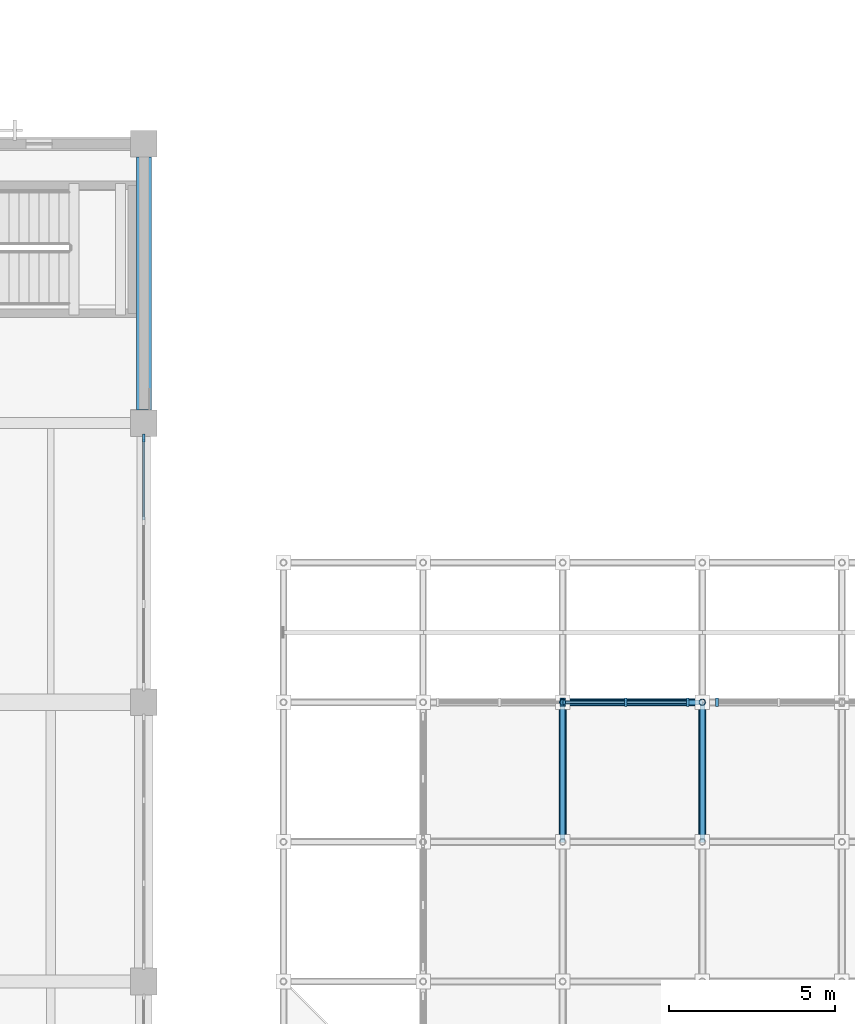
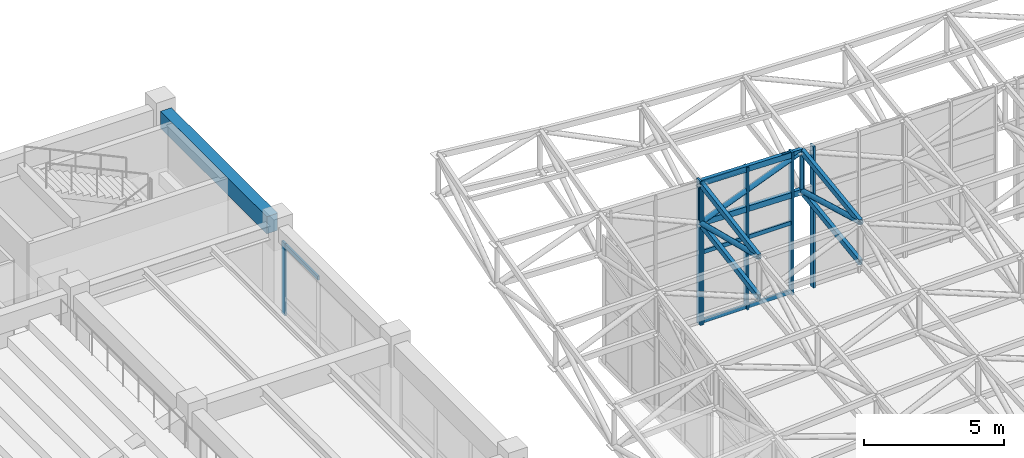
# One storey, part 31 of 132: 24 members, 1 beam, 4 elements without a shape of their own.
"""IFC4 building model written with IfcOpenShell, lengths in metres."""

from ifc_helpers import new_model, si_unit, direction, frame, origin, origin_2d, place, context, subcontext, project, spatial, rectangle, hollow_rectangle, hollow_circle, extrude, material, material_profile, profile_set, type_object, element, aggregate, save


model = new_model("IFC4")

# Units and contexts
model_context = context("Model", 3, precision=1e-05, world=origin(), true_north=direction((0.0, 1.0)))
body_context = subcontext(model_context, "Body", "Model", "MODEL_VIEW")
ifc_project = project(units=[si_unit("LENGTHUNIT", "METRE"), si_unit("AREAUNIT", "SQUARE_METRE"), si_unit("VOLUMEUNIT", "CUBIC_METRE"), si_unit("PLANEANGLEUNIT", "RADIAN"), si_unit("MASSUNIT", "GRAM", prefix="KILO")], contexts=[model_context])

# Site, building, storey
site_placement = place(None, origin())
site = spatial("IfcSite", under=ifc_project, at=site_placement, CompositionType="ELEMENT")
building_placement = place(site_placement, origin())
building = spatial("IfcBuilding", under=site, at=building_placement, Name="Cumbredor Promenade Congress Hotel", CompositionType="ELEMENT")
storey_placement = place(building_placement, frame((0.0, 0.0, 7.56005859375)))
storey = spatial("IfcBuildingStorey", under=building, at=storey_placement, Name="L02", CompositionType="ELEMENT", Elevation=7.56005859375)

# Beam
ifc_material_1 = material(Name="Concrete C40/50", Category="concrete")
ifc_material_profile_1 = material_profile(ifc_material_1, rectangle(XDim=0.449951171875, YDim=0.75, at=origin_2d()), Name="RC BEAM 450x750")
ifc_profile_set_1 = profile_set([ifc_material_profile_1], Name="Concrete C40/50")
beam_type = type_object("IfcBeamType", Name="BM-RC-450x750", PredefinedType="BEAM", material=ifc_profile_set_1)
beam_placement = place(storey_placement, frame((67.199951171875, 59.199951171875, 3.425048828125), z_axis=(0.0, 1.0, 0.0), x_axis=(-1.0, 0.0, 0.0)))
element("IfcBeam", 1, at=beam_placement, inside=storey, type_object=beam_type, Name="L03 Y-Grid Beam 121", PredefinedType="BEAM", context=body_context, shape_type="SweptSolid", body=[
    extrude(rectangle(XDim=0.449951171875, YDim=0.75, at=origin_2d()), origin(), (0.0, 0.0, 1.0), 7.60009765625),
])

# Curtain wall, member
ifc_material_2 = material(Name="Thermally broken anodized aluminium and low-E glass", Category="aluminium")
curtain_wall_type_1 = type_object("IfcCurtainWallType", Name="Unitised Bronze Curtain Wall CW-01", PredefinedType="NOTDEFINED", material=ifc_material_2)
curtain_wall_1_placement = place(storey_placement, origin())
curtain_wall_1 = element("IfcCurtainWall", 2, at=curtain_wall_1_placement, inside=storey, type_object=curtain_wall_type_1, Name="L02 Plenary Congress Hall East Curtain Wall 6", PredefinedType="NOTDEFINED")
ifc_material_3 = material(Name="Thermally broken anodized aluminium", Category="aluminium")
ifc_material_profile_2 = material_profile(ifc_material_3, rectangle(XDim=0.080078125, YDim=0.239990234375, at=origin_2d()), Name="ALU MULLION 80x240")
ifc_profile_set_2 = profile_set([ifc_material_profile_2], Name="Thermally broken anodized aluminium")
member_type_1 = type_object("IfcMemberType", Name="Curtain Wall Mullion ML-03", PredefinedType="MULLION", material=ifc_profile_set_2)
member_1_placement = place(storey_placement, frame((67.199951171875, 58.344970703125, -0.008056640625), z_axis=(0.0, 0.0, 1.0), x_axis=(1.0, 0.0, 0.0)))
member_1 = element("IfcMember", 3, at=member_1_placement, type_object=member_type_1, Name="L02 Plenary Congress Hall East Curtain Wall 6 Mullion 4", PredefinedType="MULLION", context=body_context, shape_type="SweptSolid", body=[
    extrude(rectangle(XDim=0.080078125, YDim=0.239990234375, at=origin_2d()), origin(), (0.0, 0.0, 1.0), 3.15087890625),
])

curtain_wall_type_2 = type_object("IfcCurtainWallType", Name="Stepped Pavilion Clerestory Curtain Wall CW-06", PredefinedType="NOTDEFINED", material=ifc_material_2)
curtain_wall_2_placement = place(storey_placement, origin())
curtain_wall_2 = element("IfcCurtainWall", 4, at=curtain_wall_2_placement, inside=storey, type_object=curtain_wall_type_2, Name="Thermal Spa and Hydrotherapy Pavilion N Glazed Clerestory 1", PredefinedType="NOTDEFINED")
ifc_material_profile_3 = material_profile(ifc_material_3, rectangle(XDim=0.0849609375, YDim=0.260009765625, at=origin_2d()), Name="ALU MULLION CLERESTORY 85x260")
ifc_profile_set_3 = profile_set([ifc_material_profile_3], Name="Thermally broken anodized aluminium")
member_type_2 = type_object("IfcMemberType", Name="Curtain Wall Mullion ML-04", PredefinedType="MULLION", material=ifc_profile_set_3)
member_2_placement = place(storey_placement, frame((79.760009765625, 50.39990234375, -0.01806640625), z_axis=(0.0, 0.0, 1.0), x_axis=(1.0, 0.0, 0.0)))
member_2 = element("IfcMember", 5, at=member_2_placement, type_object=member_type_2, Name="Thermal Spa and Hydrotherapy Pavilion N Glazed Clerestory 1 Mullion 3", PredefinedType="MULLION", context=body_context, shape_type="SweptSolid", body=[
    extrude(rectangle(XDim=0.0849609375, YDim=0.260009765625, at=origin_2d()), origin(), (0.0, 0.0, 1.0), 6.31103515625),
])
aggregate(curtain_wall_2, [member_2])

# Curtain wall, members
curtain_wall_3_placement = place(storey_placement, origin())
curtain_wall_3 = element("IfcCurtainWall", 6, at=curtain_wall_3_placement, inside=storey, type_object=curtain_wall_type_2, Name="Thermal Spa and Hydrotherapy Pavilion N Glazed Clerestory 2", PredefinedType="NOTDEFINED")
member_3_placement = place(storey_placement, frame((79.840087890625, 50.39990234375, -0.01806640625), z_axis=(0.0, 0.0, 1.0), x_axis=(1.0, 0.0, 0.0)))
member_3 = element("IfcMember", 7, at=member_3_placement, type_object=member_type_2, Name="Thermal Spa and Hydrotherapy Pavilion N Glazed Clerestory 2 Mullion 1", PredefinedType="MULLION", context=body_context, shape_type="SweptSolid", body=[
    extrude(rectangle(XDim=0.0849609375, YDim=0.260009765625, at=origin_2d()), origin(), (0.0, 0.0, 1.0), 6.227294921875),
])
member_4_placement = place(storey_placement, frame((81.699951171875, 50.39990234375, -0.01806640625), z_axis=(0.0, 0.0, 1.0), x_axis=(1.0, 0.0, 0.0)))
member_4 = element("IfcMember", 8, at=member_4_placement, type_object=member_type_2, Name="Thermal Spa and Hydrotherapy Pavilion N Glazed Clerestory 2 Mullion 2", PredefinedType="MULLION", context=body_context, shape_type="SweptSolid", body=[
    extrude(rectangle(XDim=0.0849609375, YDim=0.260009765625, at=origin_2d()), origin(), (0.0, 0.0, 1.0), 6.227294921875),
])
member_5_placement = place(storey_placement, frame((83.56005859375, 50.39990234375, -0.01806640625), z_axis=(0.0, 0.0, 1.0), x_axis=(1.0, 0.0, 0.0)))
member_5 = element("IfcMember", 9, at=member_5_placement, type_object=member_type_2, Name="Thermal Spa and Hydrotherapy Pavilion N Glazed Clerestory 2 Mullion 3", PredefinedType="MULLION", context=body_context, shape_type="SweptSolid", body=[
    extrude(rectangle(XDim=0.0849609375, YDim=0.260009765625, at=origin_2d()), origin(), (0.0, 0.0, 1.0), 6.227294921875),
])

# Curtain wall, member
curtain_wall_4_placement = place(storey_placement, origin())
curtain_wall_4 = element("IfcCurtainWall", 10, at=curtain_wall_4_placement, inside=storey, type_object=curtain_wall_type_2, Name="Thermal Spa and Hydrotherapy Pavilion N Glazed Clerestory 3", PredefinedType="NOTDEFINED")
member_6_placement = place(storey_placement, frame((84.43994140625, 50.39990234375, -0.01806640625), z_axis=(0.0, 0.0, 1.0), x_axis=(1.0, 0.0, 0.0)))
member_6 = element("IfcMember", 11, at=member_6_placement, type_object=member_type_2, Name="Thermal Spa and Hydrotherapy Pavilion N Glazed Clerestory 3 Mullion 1", PredefinedType="MULLION", context=body_context, shape_type="SweptSolid", body=[
    extrude(rectangle(XDim=0.0849609375, YDim=0.260009765625, at=origin_2d()), origin(), (0.0, 0.0, 1.0), 6.177001953125),
])
aggregate(curtain_wall_4, [member_6])

# Member
ifc_material_profile_4 = material_profile(ifc_material_3, rectangle(XDim=0.080078125, YDim=0.179931640625, at=origin_2d()), Name="ALU TRANSOM 80x180")
ifc_profile_set_4 = profile_set([ifc_material_profile_4], Name="Thermally broken anodized aluminium")
member_type_3 = type_object("IfcMemberType", Name="Curtain Wall Transom TR-03", PredefinedType="USERDEFINED", material=ifc_profile_set_4)
member_7_placement = place(storey_placement, frame((67.199951171875, 55.88818359375, 3.050048828125), z_axis=(0.0, 1.0, 0.0), x_axis=(-1.0, 0.0, 0.0)))
member_7 = element("IfcMember", 12, at=member_7_placement, type_object=member_type_3, Name="L02 Plenary Congress Hall East Curtain Wall 6 Transom 3.3", ObjectType="TRANSOM", PredefinedType="USERDEFINED", context=body_context, shape_type="SweptSolid", body=[
    extrude(rectangle(XDim=0.080078125, YDim=0.179931640625, at=origin_2d()), origin(), (0.0, 0.0, 1.0), 2.416748046875),
])

aggregate(curtain_wall_1, [member_1, member_7])

member_8_placement = place(storey_placement, frame((79.882568359375, 50.39990234375, 0.079833984375), z_axis=(1.0, 0.0, 0.0), x_axis=(0.0, 1.0, 0.0)))
member_8 = element("IfcMember", 13, at=member_8_placement, type_object=member_type_3, Name="Thermal Spa and Hydrotherapy Pavilion N Glazed Clerestory 2 Transom 1.1", ObjectType="TRANSOM", PredefinedType="USERDEFINED", context=body_context, shape_type="SweptSolid", body=[
    extrude(rectangle(XDim=0.080078125, YDim=0.179931640625, at=origin_2d()), origin(), (0.0, 0.0, 1.0), 1.77490234375),
])

member_9_placement = place(storey_placement, frame((79.882568359375, 50.39990234375, 3.08984375), z_axis=(1.0, 0.0, 0.0), x_axis=(0.0, 1.0, 0.0)))
member_9 = element("IfcMember", 14, at=member_9_placement, type_object=member_type_3, Name="Thermal Spa and Hydrotherapy Pavilion N Glazed Clerestory 2 Transom 1.2", ObjectType="TRANSOM", PredefinedType="USERDEFINED", context=body_context, shape_type="SweptSolid", body=[
    extrude(rectangle(XDim=0.080078125, YDim=0.179931640625, at=origin_2d()), origin(), (0.0, 0.0, 1.0), 1.77490234375),
])

member_10_placement = place(storey_placement, frame((79.882568359375, 50.39990234375, 6.10986328125), z_axis=(1.0, 0.0, 0.0), x_axis=(0.0, 1.0, 0.0)))
member_10 = element("IfcMember", 15, at=member_10_placement, type_object=member_type_3, Name="Thermal Spa and Hydrotherapy Pavilion N Glazed Clerestory 2 Transom 1.3", ObjectType="TRANSOM", PredefinedType="USERDEFINED", context=body_context, shape_type="SweptSolid", body=[
    extrude(rectangle(XDim=0.080078125, YDim=0.179931640625, at=origin_2d()), origin(), (0.0, 0.0, 1.0), 1.77490234375),
])

member_11_placement = place(storey_placement, frame((81.742431640625, 50.39990234375, 0.079833984375), z_axis=(1.0, 0.0, 0.0), x_axis=(0.0, 1.0, 0.0)))
member_11 = element("IfcMember", 16, at=member_11_placement, type_object=member_type_3, Name="Thermal Spa and Hydrotherapy Pavilion N Glazed Clerestory 2 Transom 2.1", ObjectType="TRANSOM", PredefinedType="USERDEFINED", context=body_context, shape_type="SweptSolid", body=[
    extrude(rectangle(XDim=0.080078125, YDim=0.179931640625, at=origin_2d()), origin(), (0.0, 0.0, 1.0), 1.775146484375),
])

member_12_placement = place(storey_placement, frame((81.742431640625, 50.39990234375, 3.08984375), z_axis=(1.0, 0.0, 0.0), x_axis=(0.0, 1.0, 0.0)))
member_12 = element("IfcMember", 17, at=member_12_placement, type_object=member_type_3, Name="Thermal Spa and Hydrotherapy Pavilion N Glazed Clerestory 2 Transom 2.2", ObjectType="TRANSOM", PredefinedType="USERDEFINED", context=body_context, shape_type="SweptSolid", body=[
    extrude(rectangle(XDim=0.080078125, YDim=0.179931640625, at=origin_2d()), origin(), (0.0, 0.0, 1.0), 1.775146484375),
])

member_13_placement = place(storey_placement, frame((81.742431640625, 50.39990234375, 6.10986328125), z_axis=(1.0, 0.0, 0.0), x_axis=(0.0, 1.0, 0.0)))
member_13 = element("IfcMember", 18, at=member_13_placement, type_object=member_type_3, Name="Thermal Spa and Hydrotherapy Pavilion N Glazed Clerestory 2 Transom 2.3", ObjectType="TRANSOM", PredefinedType="USERDEFINED", context=body_context, shape_type="SweptSolid", body=[
    extrude(rectangle(XDim=0.080078125, YDim=0.179931640625, at=origin_2d()), origin(), (0.0, 0.0, 1.0), 1.775146484375),
])

aggregate(curtain_wall_3, [member_3, member_4, member_5, member_8, member_9, member_10, member_11, member_12, member_13])

# Members
ifc_material_4 = material(Name="Steel ASTM A500 Grade C", Category="steel")
ifc_material_profile_5 = material_profile(ifc_material_4, hollow_rectangle(XDim=0.14990234375, YDim=0.25, WallThickness=0.012451171875, at=origin_2d()), Name="HSS 250x150x12.5")
ifc_profile_set_5 = profile_set([ifc_material_profile_5], Name="Steel ASTM A500 Grade C")
member_type_4 = type_object("IfcMemberType", Name="Spa Roof Space Frame Chord", PredefinedType="CHORD", material=ifc_profile_set_5)
for number, where, z_axis, x_axis, name in (
    (19, (79.800048828125, 50.39990234375, 6.14208984375), (0.999801289689, 0.0, -0.019934420878), (0.0, 1.0, 0.0), "Thermal Spa and Hydrotherapy Pavilion X Top Chord 3.13"),
    (20, (79.800048828125, 50.39990234375, 4.39208984375), (0.999801289689, 0.0, -0.019934420878), (0.0, 1.0, 0.0), "Thermal Spa and Hydrotherapy Pavilion X Bottom Chord 3.13"),
):
    element("IfcMember", number, at=place(storey_placement, frame(where, z_axis=z_axis, x_axis=x_axis)), inside=storey, type_object=member_type_4, Name=name, PredefinedType="CHORD", context=body_context, shape_type="SweptSolid", body=[
        extrude(hollow_rectangle(XDim=0.14990234375, YDim=0.25, WallThickness=0.012451171875, at=origin_2d()), origin(), (0.0, 0.0, 1.0), 4.20068359375),
    ])
for number, where, z_axis, x_axis, name in (
    (21, (79.800048828125, 46.199951171875, 5.44091796875), (0.0, 0.986348948056, 0.164668614708), (-1.0, 0.0, 0.0), "Thermal Spa and Hydrotherapy Pavilion Y Top Chord 3.12"),
    (22, (79.800048828125, 46.199951171875, 3.69091796875), (0.0, 0.986348948056, 0.164668614708), (-1.0, 0.0, 0.0), "Thermal Spa and Hydrotherapy Pavilion Y Bottom Chord 3.12"),
):
    element("IfcMember", number, at=place(storey_placement, frame(where, z_axis=z_axis, x_axis=x_axis)), inside=storey, type_object=member_type_4, Name=name, PredefinedType="CHORD", context=body_context, shape_type="SweptSolid", body=[
        extrude(hollow_rectangle(XDim=0.14990234375, YDim=0.25, WallThickness=0.012451171875, at=origin_2d()), origin(), (0.0, 0.0, 1.0), 4.258056640625),
    ])
for number, where, z_axis, x_axis, name in (
    (23, (84.0, 46.199951171875, 5.484130859375), (0.0, 0.99078279409, 0.135460159955), (-1.0, 0.0, 0.0), "Thermal Spa and Hydrotherapy Pavilion Y Top Chord 4.12"),
    (24, (84.0, 46.199951171875, 3.734130859375), (0.0, 0.99078279409, 0.135460159955), (-1.0, 0.0, 0.0), "Thermal Spa and Hydrotherapy Pavilion Y Bottom Chord 4.12"),
):
    element("IfcMember", number, at=place(storey_placement, frame(where, z_axis=z_axis, x_axis=x_axis)), inside=storey, type_object=member_type_4, Name=name, PredefinedType="CHORD", context=body_context, shape_type="SweptSolid", body=[
        extrude(hollow_rectangle(XDim=0.14990234375, YDim=0.25, WallThickness=0.012451171875, at=origin_2d()), origin(), (0.0, 0.0, 1.0), 4.239013671875),
    ])
ifc_material_profile_6 = material_profile(ifc_material_4, hollow_circle(Radius=0.109619140625, WallThickness=0.012451171875, at=origin_2d()), Name="CHS 219.1x12.5")
ifc_profile_set_6 = profile_set([ifc_material_profile_6], Name="Steel ASTM A500 Grade C")
member_type_5 = type_object("IfcMemberType", Name="Space Frame Web Diagonal D1", PredefinedType="BRACE", material=ifc_profile_set_6)
member_14_placement = place(storey_placement, frame((79.800048828125, 50.39990234375, 4.39208984375), z_axis=(0.929520112027, 0.0, 0.36877142153), x_axis=(0.0, 1.0, 0.0)))
element("IfcMember", 25, at=member_14_placement, inside=storey, type_object=member_type_5, Name="Thermal Spa and Hydrotherapy Pavilion X Web Diagonal 3.13", PredefinedType="BRACE", context=body_context, shape_type="SweptSolid", body=[
    extrude(hollow_circle(Radius=0.109619140625, WallThickness=0.012451171875, at=origin_2d()), origin(), (0.0, 0.0, 1.0), 4.518310546875),
])
member_15_placement = place(storey_placement, frame((79.800048828125, 46.199951171875, 5.44091796875), z_axis=(0.0, 0.970205499837, -0.242283487026), x_axis=(-1.0, 0.0, 0.0)))
element("IfcMember", 26, at=member_15_placement, inside=storey, type_object=member_type_5, Name="Thermal Spa and Hydrotherapy Pavilion Y Web Diagonal 3.12", PredefinedType="BRACE", context=body_context, shape_type="SweptSolid", body=[
    extrude(hollow_circle(Radius=0.109619140625, WallThickness=0.012451171875, at=origin_2d()), origin(), (0.0, 0.0, 1.0), 4.328857421875),
])
member_16_placement = place(storey_placement, frame((84.0, 46.199951171875, 5.484130859375), z_axis=(0.0, 0.96297622741, -0.269586322805), x_axis=(-1.0, 0.0, 0.0)))
element("IfcMember", 27, at=member_16_placement, inside=storey, type_object=member_type_5, Name="Thermal Spa and Hydrotherapy Pavilion Y Web Diagonal 4.12", PredefinedType="BRACE", context=body_context, shape_type="SweptSolid", body=[
    extrude(hollow_circle(Radius=0.109619140625, WallThickness=0.012451171875, at=origin_2d()), origin(), (0.0, 0.0, 1.0), 4.361328125),
])
ifc_material_profile_7 = material_profile(ifc_material_4, hollow_circle(Radius=0.096923828125, WallThickness=0.010009765625, at=origin_2d()), Name="CHS 193.7x10")
ifc_profile_set_7 = profile_set([ifc_material_profile_7], Name="Steel ASTM A500 Grade C")
member_type_6 = type_object("IfcMemberType", Name="Space Frame Web Post P1", PredefinedType="BRACE", material=ifc_profile_set_7)
for number, where, z_axis, x_axis, name in (
    (28, (79.800048828125, 50.39990234375, 4.39208984375), (0.0, 0.0, 1.0), (1.0, 0.0, 0.0), "Thermal Spa and Hydrotherapy Pavilion Space Frame Web Post 3.13"),
    (29, (84.0, 50.39990234375, 4.308349609375), (0.0, 0.0, 1.0), (1.0, 0.0, 0.0), "Thermal Spa and Hydrotherapy Pavilion Space Frame Web Post 4.13"),
):
    element("IfcMember", number, at=place(storey_placement, frame(where, z_axis=z_axis, x_axis=x_axis)), inside=storey, type_object=member_type_6, Name=name, PredefinedType="BRACE", context=body_context, shape_type="SweptSolid", body=[
        extrude(hollow_circle(Radius=0.096923828125, WallThickness=0.010009765625, at=origin_2d()), origin(), (0.0, 0.0, 1.0), 1.75),
    ])

save(model, "model.ifc")
